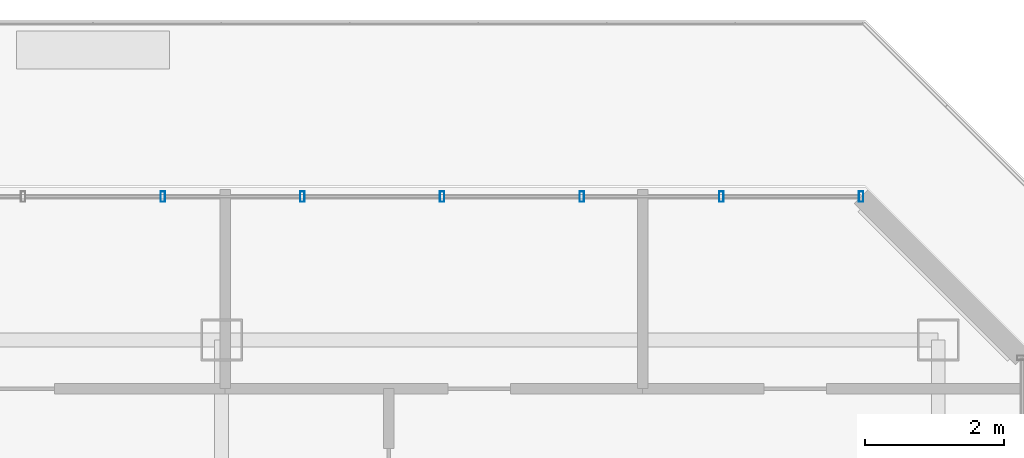
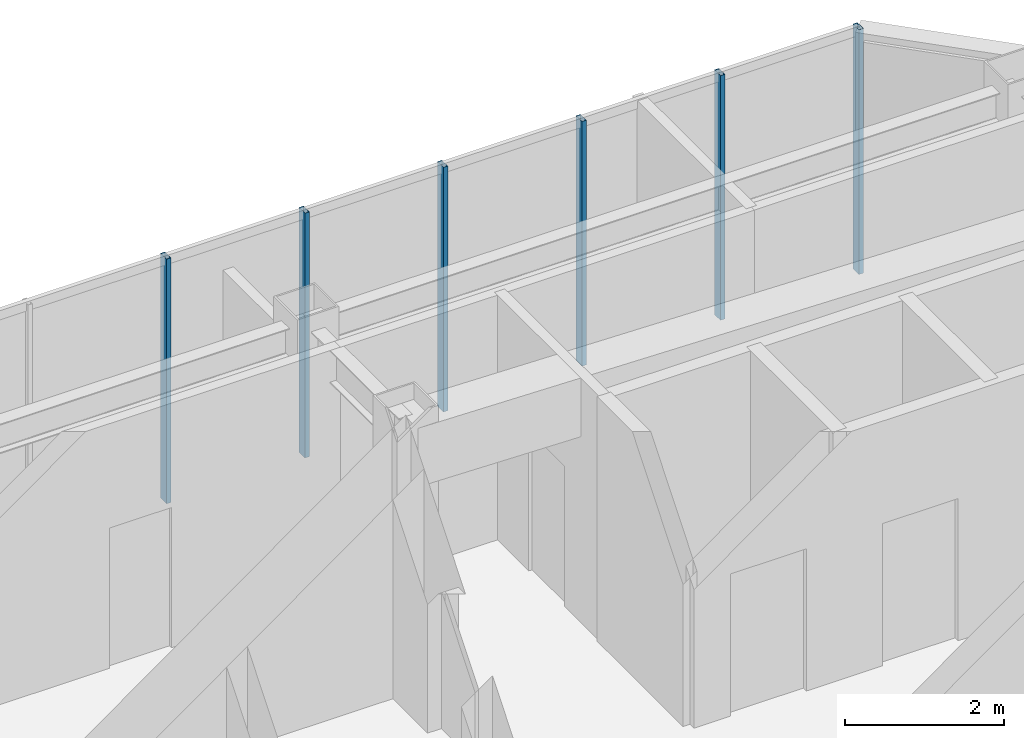
# One storey, part 13 of 21: 6 members, 1 element without a shape of its own.
"""IFC4 building model written with IfcOpenShell, lengths in metres."""

import ifcopenshell
import ifcopenshell.guid

model = None  # the IFC model being written
_history = None  # IfcOwnerHistory: only IFC2X3 demands one
_inside = {}  # id of a spatial element -> (the spatial element, [elements in it])
_under = {}  # id of a project, library or spatial element -> (it, [spatial elements below it])
_declared = {}  # id of a project -> (the project, [libraries it declares])
_typed = {}  # id of a type object -> (the type object, [elements of that type])
_made_of = {}  # id of a material, layer set ... -> (it, [elements and type objects made of it])


def new_model(schema):
    """Start an empty IFC model of exactly this schema.

    Asked for "IFC4X3", IfcOpenShell would pick the latest addendum, in which some entities
    have other attributes; the version numbers below select the first issue.
    IFC2X3 requires an IfcOwnerHistory on every rooted entity: one is made here for all.
    """
    global model, _history
    if schema == "IFC4X3":
        model = ifcopenshell.file(schema_version=(4, 3, 0, 0))
    else:
        model = ifcopenshell.file(schema=schema)
    _inside.clear()
    _under.clear()
    _declared.clear()
    _typed.clear()
    _made_of.clear()
    _history = None
    if model.schema == "IFC2X3":
        org = make("IfcOrganization", Name="unknown")
        user = make(
            "IfcPersonAndOrganization",
            ThePerson=make("IfcPerson", FamilyName="unknown"),
            TheOrganization=org,
        )
        app = make(
            "IfcApplication",
            ApplicationDeveloper=org,
            Version="unknown",
            ApplicationFullName="unknown",
            ApplicationIdentifier="unknown",
        )
        _history = make(
            "IfcOwnerHistory",
            OwningUser=user,
            OwningApplication=app,
            ChangeAction="ADDED",
            CreationDate=0,
        )
    return model


def make(cls, **values):
    """One entity of the class cls with the attributes given. An attribute that is None is left unset."""
    return model.create_entity(
        cls, **{name: value for name, value in values.items() if value is not None}
    )


def rooted(cls, **values):
    """An entity with a GlobalId (a new one), such as an element, a storey or a relation."""
    return make(cls, GlobalId=ifcopenshell.guid.new(), OwnerHistory=_history, **values)


def si_unit(unit_type, name, prefix=None):
    """IfcSIUnit, for example si_unit("LENGTHUNIT", "METRE", prefix="MILLI")."""
    return make("IfcSIUnit", UnitType=unit_type, Prefix=prefix, Name=name)


def assignment(units):
    """IfcUnitAssignment: the units of a project."""
    return None if units is None else make("IfcUnitAssignment", Units=units)


def point(xyz):
    """IfcCartesianPoint."""
    return None if xyz is None else make("IfcCartesianPoint", Coordinates=xyz)


def direction(xyz):
    """IfcDirection."""
    return None if xyz is None else make("IfcDirection", DirectionRatios=xyz)


def frame(location, z_axis=None, x_axis=None):
    """IfcAxis2Placement3D, a coordinate frame: its origin and axes. An axis left out is left unset."""
    return make(
        "IfcAxis2Placement3D",
        Location=point(location),
        Axis=direction(z_axis),
        RefDirection=direction(x_axis),
    )


def frame_2d(location, x_axis=None):
    """IfcAxis2Placement2D, a coordinate frame in the plane: its origin and x axis."""
    return make(
        "IfcAxis2Placement2D", Location=point(location), RefDirection=direction(x_axis)
    )


def origin():
    """The frame at (0, 0, 0) with its axes left unset."""
    return frame((0.0, 0.0, 0.0))


def origin_2d():
    """The frame at (0, 0) in the plane with its x axis left unset."""
    return frame_2d((0.0, 0.0))


def place(relative_to, where):
    """IfcLocalPlacement: puts the frame where relative to a parent placement (None: the world)."""
    return make(
        "IfcLocalPlacement", PlacementRelTo=relative_to, RelativePlacement=where
    )


def context(
    kind, dimensions, precision=None, world=None, true_north=None, identifier=None
):
    """IfcGeometricRepresentationContext, for example the 3D "Model" context."""
    return make(
        "IfcGeometricRepresentationContext",
        ContextIdentifier=identifier,
        ContextType=kind,
        CoordinateSpaceDimension=dimensions,
        Precision=precision,
        WorldCoordinateSystem=world,
        TrueNorth=true_north,
    )


def subcontext(parent, identifier, kind, view, scale=None):
    """IfcGeometricRepresentationSubContext, for example "Body" below "Model"."""
    return make(
        "IfcGeometricRepresentationSubContext",
        ContextIdentifier=identifier,
        ContextType=kind,
        ParentContext=parent,
        TargetScale=scale,
        TargetView=view,
    )


def project(units=None, contexts=None):
    """IfcProject with its units and contexts."""
    return rooted(
        "IfcProject",
        Name="project",
        RepresentationContexts=contexts,
        UnitsInContext=assignment(units),
    )


def spatial(cls, under=None, at=None, **own):
    """A site, building, storey or space (cls), placed at a placement, below another one or the project."""
    s = rooted(cls, ObjectPlacement=at, **own)
    if under is not None:
        _under.setdefault(under.id(), (under, []))[1].append(s)
    return s


def profile(cls, at=None, kind="AREA", **sizes):
    """A parametric profile (cls). Its sizes go by their IFC names, for example OverallWidth=200.0."""
    return make(cls, ProfileType=kind, Position=at, **sizes)


def hollow_rectangle(**sizes):
    """IfcRectangleHollowProfileDef."""
    return profile("IfcRectangleHollowProfileDef", **sizes)


def extrude(swept, where, along, depth):
    """IfcExtrudedAreaSolid: the profile swept, set in the frame where, extruded along a direction by depth."""
    return make(
        "IfcExtrudedAreaSolid",
        SweptArea=swept,
        Position=where,
        ExtrudedDirection=direction(along),
        Depth=depth,
    )


def shape(context_of_items, identifier, shape_type, items):
    """IfcShapeRepresentation: the items that make up one representation, for example the "Body"."""
    return make(
        "IfcShapeRepresentation",
        ContextOfItems=context_of_items,
        RepresentationIdentifier=identifier,
        RepresentationType=shape_type,
        Items=items,
    )


def material(Name=None, Category=None):
    """IfcMaterial."""
    return make("IfcMaterial", Name=Name, Category=Category)


def layer(
    of_material, thickness, ventilated=None, Name=None, Category=None, Priority=None
):
    """IfcMaterialLayer: one layer of a wall or slab, of a material (None: an air gap)."""
    return make(
        "IfcMaterialLayer",
        Material=of_material,
        LayerThickness=thickness,
        IsVentilated=ventilated,
        Name=Name,
        Category=Category,
        Priority=Priority,
    )


def layer_set(layers, Name=None):
    """IfcMaterialLayerSet."""
    return make("IfcMaterialLayerSet", MaterialLayers=layers, LayerSetName=Name)


def material_profile(
    of_material, cross_section, Name=None, Category=None, Priority=None
):
    """IfcMaterialProfile: a cross section and its material."""
    return make(
        "IfcMaterialProfile",
        Name=Name,
        Material=of_material,
        Profile=cross_section,
        Priority=Priority,
        Category=Category,
    )


def profile_set(profiles, Name=None, composite=None):
    """IfcMaterialProfileSet."""
    return make(
        "IfcMaterialProfileSet",
        Name=Name,
        MaterialProfiles=profiles,
        CompositeProfile=composite,
    )


def made_of(thing, what):
    """Note that an element or type object is made of a material, layer set ...; save() writes the relation."""
    if what is not None:
        _made_of.setdefault(what.id(), (what, []))[1].append(thing)
    return thing


def type_object(cls, material=None, **own):
    """A type object (cls), such as IfcWallType, which elements share."""
    return made_of(rooted(cls, **own), material)


def element(
    cls,
    number,
    at=None,
    inside=None,
    cuts=None,
    type_object=None,
    material=None,
    context=None,
    identifier="Body",
    shape_type=None,
    held_by="IfcProductDefinitionShape",
    body=None,
    shapes=None,
    **own,
):
    """One element of the class cls, such as IfcWall. Its Tag is "e" and its number.

    at: its placement. inside: the storey or other place that contains it. cuts: it is an
    opening in that element (IfcRelVoidsElement). A single representation is given by context,
    identifier, shape_type and body (its items); several are given by shapes. held_by: the class
    of the entity that holds the representations. save() writes the other relations.
    """
    e = rooted(cls, Tag="e%d" % number, ObjectPlacement=at, **own)
    if body is not None:
        shapes = [shape(context, identifier, shape_type, body)]
    if shapes is not None:
        e.Representation = make(held_by, Representations=shapes)
    if inside is not None:
        _inside.setdefault(inside.id(), (inside, []))[1].append(e)
    if cuts is not None:
        rooted(
            "IfcRelVoidsElement", RelatingBuildingElement=cuts, RelatedOpeningElement=e
        )
    if type_object is not None:
        _typed.setdefault(type_object.id(), (type_object, []))[1].append(e)
    return made_of(e, material)


def aggregate(whole, parts):
    """IfcRelAggregates: a whole, such as a stair, and the parts it consists of."""
    return rooted("IfcRelAggregates", RelatingObject=whole, RelatedObjects=parts)


def save(model, path):
    """Write the relations noted so far, then the file.

    IfcRelAggregates (storeys below a building ...), IfcRelContainedInSpatialStructure (elements
    in a storey), IfcRelDefinesByType, IfcRelAssociatesMaterial and IfcRelDeclares: one each for
    every whole, place, type object, material and project.
    """
    for whole, parts in _under.values():
        aggregate(whole, parts)
    for where, things in _inside.values():
        rooted(
            "IfcRelContainedInSpatialStructure",
            RelatedElements=things,
            RelatingStructure=where,
        )
    for kind, things in _typed.values():
        rooted("IfcRelDefinesByType", RelatedObjects=things, RelatingType=kind)
    for what, things in _made_of.values():
        rooted("IfcRelAssociatesMaterial", RelatedObjects=things, RelatingMaterial=what)
    for by, libraries in _declared.values():
        rooted("IfcRelDeclares", RelatingContext=by, RelatedDefinitions=libraries)
    model.write(path)


model = new_model("IFC4")

# Units and contexts
model_context = context("Model", 3, precision=1e-05, world=origin(), true_north=direction((0.0, 1.0)))
body_context = subcontext(model_context, "Body", "Model", "MODEL_VIEW")
ifc_project = project(units=[si_unit("LENGTHUNIT", "METRE"), si_unit("AREAUNIT", "SQUARE_METRE"), si_unit("VOLUMEUNIT", "CUBIC_METRE"), si_unit("PLANEANGLEUNIT", "RADIAN"), si_unit("MASSUNIT", "GRAM", prefix="KILO")], contexts=[model_context])

# Site, building, storey
site_placement = place(None, origin())
site = spatial("IfcSite", under=ifc_project, at=site_placement, CompositionType="ELEMENT")
building_placement = place(site_placement, origin())
building = spatial("IfcBuilding", under=site, at=building_placement, Name="Hatsunagi Terrace Concourse", CompositionType="ELEMENT")
storey_placement = place(building_placement, frame((0.0, 0.0, 265.949951171875)))
storey = spatial("IfcBuildingStorey", under=building, at=storey_placement, Name="L70", CompositionType="ELEMENT", Elevation=265.949951171875)

# Curtain wall, members
ifc_material_1 = material(Name="Anodised Aluminium Alloy 6063-T5", Category="aluminium")
ifc_layer = layer(ifc_material_1, 0.199951171875)
ifc_layer_set = layer_set([ifc_layer], Name="CrownWintergarden_CW06")
curtain_wall_type = type_object("IfcCurtainWallType", Name="CrownWintergarden_CW06", PredefinedType="NOTDEFINED", material=ifc_layer_set)
curtain_wall_placement = place(storey_placement, origin())
curtain_wall = element("IfcCurtainWall", 1, at=curtain_wall_placement, inside=storey, type_object=curtain_wall_type, Name="Unitised Curtain Wall CW-06 CW-L70-10", PredefinedType="NOTDEFINED")
ifc_material_2 = material(Name="Anodised Aluminium Alloy 6063-T5", Category="aluminium")
ifc_material_profile = material_profile(ifc_material_2, hollow_rectangle(XDim=0.06494140625, YDim=0.14990234375, WallThickness=0.00390625, at=origin_2d()), Name="ALU-MUL-150x65x4")
ifc_profile_set = profile_set([ifc_material_profile], Name="Anodised Aluminium Alloy 6063-T5")
member_type = type_object("IfcMemberType", Name="CurtainWallMullion_Crown_150x65", PredefinedType="MULLION", material=ifc_profile_set)
member_1_placement = place(storey_placement, frame((32.50390625, 47.860107421875, 0.0), z_axis=(0.0, 0.0, 1.0), x_axis=(1.0, 0.0, 0.0)))
member_1 = element("IfcMember", 2, at=member_1_placement, type_object=member_type, Name="Curtain Wall Mullion MUL-03", PredefinedType="MULLION", context=body_context, shape_type="SweptSolid", body=[
    extrude(hollow_rectangle(XDim=0.06494140625, YDim=0.14990234375, WallThickness=0.00390625, at=origin_2d()), origin(), (0.0, 0.0, 1.0), 3.75),
])
member_2_placement = place(storey_placement, frame((34.510986328125, 47.860107421875, 0.0), z_axis=(0.0, 0.0, 1.0), x_axis=(1.0, 0.0, 0.0)))
member_2 = element("IfcMember", 3, at=member_2_placement, type_object=member_type, Name="Curtain Wall Mullion MUL-03", PredefinedType="MULLION", context=body_context, shape_type="SweptSolid", body=[
    extrude(hollow_rectangle(XDim=0.06494140625, YDim=0.14990234375, WallThickness=0.00390625, at=origin_2d()), origin(), (0.0, 0.0, 1.0), 3.75),
])
member_3_placement = place(storey_placement, frame((36.51904296875, 47.860107421875, 0.0), z_axis=(0.0, 0.0, 1.0), x_axis=(1.0, 0.0, 0.0)))
member_3 = element("IfcMember", 4, at=member_3_placement, type_object=member_type, Name="Curtain Wall Mullion MUL-03", PredefinedType="MULLION", context=body_context, shape_type="SweptSolid", body=[
    extrude(hollow_rectangle(XDim=0.06494140625, YDim=0.14990234375, WallThickness=0.00390625, at=origin_2d()), origin(), (0.0, 0.0, 1.0), 3.75),
])
member_4_placement = place(storey_placement, frame((38.527099609375, 47.860107421875, 0.0), z_axis=(0.0, 0.0, 1.0), x_axis=(1.0, 0.0, 0.0)))
member_4 = element("IfcMember", 5, at=member_4_placement, type_object=member_type, Name="Curtain Wall Mullion MUL-03", PredefinedType="MULLION", context=body_context, shape_type="SweptSolid", body=[
    extrude(hollow_rectangle(XDim=0.06494140625, YDim=0.14990234375, WallThickness=0.00390625, at=origin_2d()), origin(), (0.0, 0.0, 1.0), 3.75),
])
member_5_placement = place(storey_placement, frame((40.533935546875, 47.860107421875, 0.0), z_axis=(0.0, 0.0, 1.0), x_axis=(1.0, 0.0, 0.0)))
member_5 = element("IfcMember", 6, at=member_5_placement, type_object=member_type, Name="Curtain Wall Mullion MUL-03", PredefinedType="MULLION", context=body_context, shape_type="SweptSolid", body=[
    extrude(hollow_rectangle(XDim=0.06494140625, YDim=0.14990234375, WallThickness=0.00390625, at=origin_2d()), origin(), (0.0, 0.0, 1.0), 3.75),
])
member_6_placement = place(storey_placement, frame((42.5419921875, 47.860107421875, 0.0), z_axis=(0.0, 0.0, 1.0), x_axis=(1.0, 0.0, 0.0)))
member_6 = element("IfcMember", 7, at=member_6_placement, type_object=member_type, Name="Curtain Wall Mullion MUL-03", PredefinedType="MULLION", context=body_context, shape_type="SweptSolid", body=[
    extrude(hollow_rectangle(XDim=0.06494140625, YDim=0.14990234375, WallThickness=0.00390625, at=origin_2d()), origin(), (0.0, 0.0, 1.0), 3.75),
])
aggregate(curtain_wall, [member_1, member_2, member_3, member_4, member_5, member_6])

save(model, "model.ifc")
